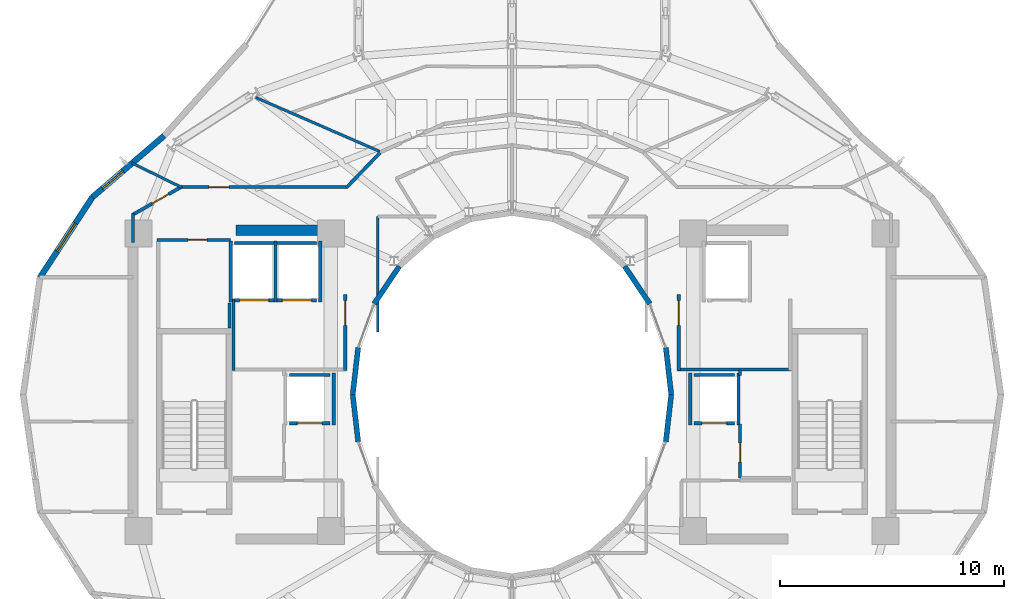
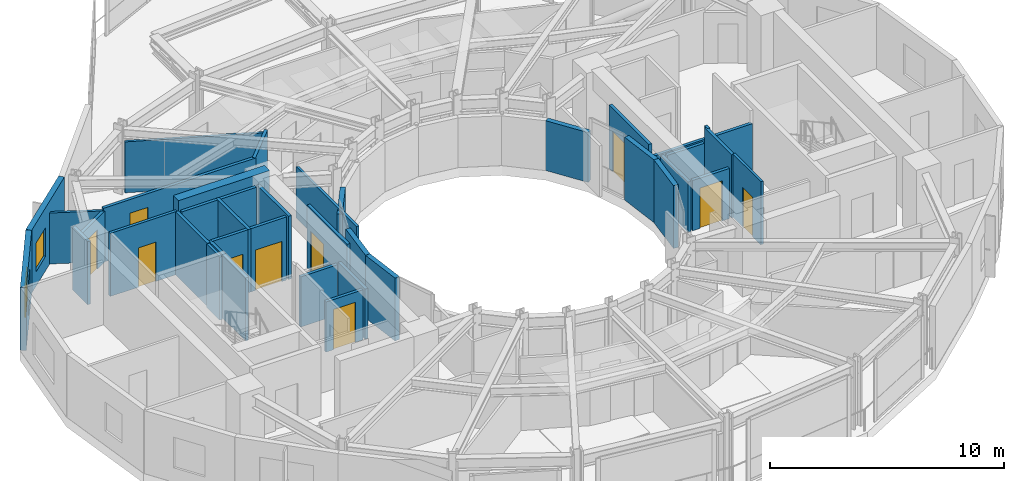
# One storey, part 19 of 25: 38 walls, 10 doors, 2 windows, 12 openings.
"""IFC4 building model written with IfcOpenShell, lengths in metres."""

from ifc_helpers import new_model, si_unit, direction, frame, frame_2d, origin, place, context, subcontext, project, spatial, rectangle, extrude, material, layer, layer_set, type_object, element, fill, save


model = new_model("IFC4")

# Units and contexts
model_context = context("Model", 3, precision=1e-05, world=origin(), true_north=direction((0.0, 1.0)))
body_context = subcontext(model_context, "Body", "Model", "MODEL_VIEW")
ifc_project = project(units=[si_unit("LENGTHUNIT", "METRE"), si_unit("AREAUNIT", "SQUARE_METRE"), si_unit("VOLUMEUNIT", "CUBIC_METRE"), si_unit("PLANEANGLEUNIT", "RADIAN"), si_unit("MASSUNIT", "GRAM", prefix="KILO")], contexts=[model_context])

# Site, building, storey
site_placement = place(None, origin())
site = spatial("IfcSite", under=ifc_project, at=site_placement, CompositionType="ELEMENT")
building_placement = place(site_placement, origin())
building = spatial("IfcBuilding", under=site, at=building_placement, Name="Solvane Sanctuary Tower", CompositionType="ELEMENT")
storey_placement = place(building_placement, frame((0.0, 0.0, 238.800048828125)))
storey = spatial("IfcBuildingStorey", under=building, at=storey_placement, Name="L73", CompositionType="ELEMENT", Elevation=238.800048828125)

# Walls
ifc_material_1 = material(Name="Concrete C50/60", Category="concrete")
ifc_layer_1 = layer(ifc_material_1, 0.449951171875, Name="Concrete C50/60")
ifc_layer_set_1 = layer_set([ifc_layer_1], Name="Concrete C50/60")
wall_type_1 = type_object("IfcWallType", Name="Wall W-CORE-450", PredefinedType="SHEAR", material=ifc_layer_set_1)
wall_1_placement = place(storey_placement, frame((19.64990234375, 30.35009765625, 0.0), z_axis=(0.0, 0.0, 1.0), x_axis=(1.0, 0.0, 0.0)))
element("IfcWall", 1, at=wall_1_placement, inside=storey, type_object=wall_type_1, Name="L73 Core Shear Wall WC-N", PredefinedType="SHEAR", context=body_context, shape_type="SweptSolid", body=[
    extrude(rectangle(XDim=4.5, YDim=0.449951171875, at=frame_2d((2.25, 0.0))), origin(), (0.0, 0.0, 1.0), 3.599853515625),
])
ifc_material_2 = material(Name="Acoustic Gypsum Partition Board")
ifc_layer_2 = layer(ifc_material_2, 0.14990234375, Name="Acoustic Gypsum Partition Board")
ifc_layer_set_2 = layer_set([ifc_layer_2], Name="Acoustic Gypsum Partition Board")
wall_type_2 = type_object("IfcWallType", Name="Wall W-CORR-150", PredefinedType="PARTITIONING", material=ifc_layer_set_2)
wall_2_placement = place(storey_placement, frame((19.550048828125, 24.080078125, 0.0), z_axis=(0.0, 0.0, 1.0), x_axis=(0.0, 1.0, 0.0)))
element("IfcWall", 2, at=wall_2_placement, inside=storey, type_object=wall_type_2, Name="L73 West Firefighting Lobby West Wall", PredefinedType="PARTITIONING", context=body_context, shape_type="SweptSolid", body=[
    extrude(rectangle(XDim=3.199951171875, YDim=0.14990234375, at=frame_2d((1.60009765625, 0.0))), origin(), (0.0, 0.0, 1.0), 3.294921875),
])

# Wall, opening, door
wall_3_placement = place(storey_placement, frame((24.550048828125, 24.080078125, 0.0), z_axis=(0.0, 0.0, 1.0), x_axis=(0.0, 1.0, 0.0)))
wall_3 = element("IfcWall", 3, at=wall_3_placement, inside=storey, type_object=wall_type_2, Name="L73 West Firefighting Lobby East Wall", PredefinedType="PARTITIONING", context=body_context, shape_type="SweptSolid", body=[
    extrude(rectangle(XDim=3.39990234375, YDim=0.14990234375, at=frame_2d((1.699951171875, 0.0))), origin(), (0.0, 0.0, 1.0), 3.294921875),
])
opening_1_placement = place(wall_3_placement, frame((2.02001953125, 0.0, 0.0)))
opening_1 = element("IfcOpeningElement", 4, at=opening_1_placement, cuts=wall_3, Name="Opening D-L73-03", PredefinedType="OPENING", context=body_context, shape_type="SweptSolid", body=[
    extrude(rectangle(XDim=1.10009765625, YDim=2.10009765625, at=frame_2d((0.550048828125, 1.050048828125))), frame((0.0, 0.0849609375, 0.0), z_axis=(0.0, -1.0, 0.0), x_axis=(1.0, 0.0, 0.0)), (0.0, 0.0, 1.0), 0.169921875),
])
ifc_material_3 = material(Name="Architectural Stainless Steel 316", Category="steel")
door_type_1 = type_object("IfcDoorType", Name="Door D-FFL", OperationType="NOTDEFINED", PredefinedType="DOOR", material=ifc_material_3)
door_1_placement = place(opening_1_placement, origin())
door_1 = element("IfcDoor", 5, at=door_1_placement, inside=storey, type_object=door_type_1, Name="L73 West Firefighting Lobby Fire Door", OperationType="SINGLE_SWING_LEFT", OverallHeight=2.10009765625, OverallWidth=1.10009765625, PredefinedType="DOOR", context=body_context, shape_type="SweptSolid", body=[
    extrude(rectangle(XDim=1.10009765625, YDim=2.10009765625, at=frame_2d((0.550048828125, 1.050048828125))), frame((0.0, 0.02490234375, 0.0), z_axis=(0.0, -1.0, 0.0), x_axis=(1.0, 0.0, 0.0)), (0.0, 0.0, 1.0), 0.050048828125),
])
fill(opening_1, door_1)

# Wall
wall_4_placement = place(storey_placement, frame((39.39990234375, 24.1201171875, 0.0), z_axis=(0.0, 0.0, 1.0), x_axis=(1.0, 0.0, 0.0)))
element("IfcWall", 6, at=wall_4_placement, inside=storey, type_object=wall_type_2, Name="L73 East Firefighting Lobby South Wall", PredefinedType="PARTITIONING", context=body_context, shape_type="SweptSolid", body=[
    extrude(rectangle(XDim=5.080078125, YDim=0.14990234375, at=frame_2d((2.5400390625, 0.0))), origin(), (0.0, 0.0, 1.0), 2.619873046875),
])

# Wall, opening, door
wall_5_placement = place(storey_placement, frame((39.449951171875, 24.080078125, 0.0), z_axis=(0.0, 0.0, 1.0), x_axis=(0.0, 1.0, 0.0)))
wall_5 = element("IfcWall", 7, at=wall_5_placement, inside=storey, type_object=wall_type_2, Name="L73 East Firefighting Lobby West Wall", PredefinedType="PARTITIONING", context=body_context, shape_type="SweptSolid", body=[
    extrude(rectangle(XDim=3.39990234375, YDim=0.14990234375, at=frame_2d((1.699951171875, 0.0))), origin(), (0.0, 0.0, 1.0), 3.294921875),
])
opening_2_placement = place(wall_5_placement, frame((2.02001953125, 0.0, 0.0)))
opening_2 = element("IfcOpeningElement", 8, at=opening_2_placement, cuts=wall_5, Name="Opening D-L73-04", PredefinedType="OPENING", context=body_context, shape_type="SweptSolid", body=[
    extrude(rectangle(XDim=1.10009765625, YDim=2.10009765625, at=frame_2d((0.550048828125, 1.050048828125))), frame((0.0, 0.0849609375, 0.0), z_axis=(0.0, -1.0, 0.0), x_axis=(1.0, 0.0, 0.0)), (0.0, 0.0, 1.0), 0.169921875),
])
door_2_placement = place(opening_2_placement, origin())
door_2 = element("IfcDoor", 9, at=door_2_placement, inside=storey, type_object=door_type_1, Name="L73 East Firefighting Lobby Fire Door", OperationType="SINGLE_SWING_RIGHT", OverallHeight=2.10009765625, OverallWidth=1.10009765625, PredefinedType="DOOR", context=body_context, shape_type="SweptSolid", body=[
    extrude(rectangle(XDim=1.10009765625, YDim=2.10009765625, at=frame_2d((0.550048828125, 1.050048828125))), frame((0.0, 0.02490234375, 0.0), z_axis=(0.0, -1.0, 0.0), x_axis=(1.0, 0.0, 0.0)), (0.0, 0.0, 1.0), 0.050048828125),
])
fill(opening_2, door_2)

# Walls
wall_6_placement = place(storey_placement, frame((15.050048828125, 29.800048828125, 0.0), z_axis=(0.0, 0.0, 1.0), x_axis=(0.0, 1.0, 0.0)))
element("IfcWall", 10, at=wall_6_placement, inside=storey, type_object=wall_type_2, Name="L73 NW Corner Closer 1", PredefinedType="PARTITIONING", context=body_context, shape_type="SweptSolid", body=[
    extrude(rectangle(XDim=1.2900390625, YDim=0.14990234375, at=frame_2d((0.64501953125, 0.0))), origin(), (0.0, 0.0, 1.0), 3.294921875),
])
wall_7_placement = place(storey_placement, frame((26.0966796875, 33.811767578125, 0.0), z_axis=(0.0, 0.0, 1.0), x_axis=(-0.694032962553, -0.719943224768, 0.0)))
element("IfcWall", 11, at=wall_7_placement, inside=storey, type_object=wall_type_2, Name="L73 NW Corner Throat Wall", PredefinedType="PARTITIONING", context=body_context, shape_type="SweptSolid", body=[
    extrude(rectangle(XDim=2.15771484375, YDim=0.14990234375, at=frame_2d((1.078857421875, 0.0))), origin(), (0.0, 0.0, 1.0), 2.81591796875),
])

# Wall, opening, door
wall_8_placement = place(storey_placement, frame((17.14990234375, 32.280029296875, 0.0), z_axis=(0.0, 0.0, 1.0), x_axis=(1.0, 0.0, 0.0)))
wall_8 = element("IfcWall", 12, at=wall_8_placement, inside=storey, type_object=wall_type_2, Name="L73 NW Corner Corridor Wall", PredefinedType="PARTITIONING", context=body_context, shape_type="SweptSolid", body=[
    extrude(rectangle(XDim=7.52001953125, YDim=0.14990234375, at=frame_2d((3.760009765625, 0.0))), origin(), (0.0, 0.0, 1.0), 2.81591796875),
])
opening_3_placement = place(wall_8_placement, frame((1.300048828125, 0.0, 0.0)))
opening_3 = element("IfcOpeningElement", 13, at=opening_3_placement, cuts=wall_8, Name="Opening D-L73-20", PredefinedType="OPENING", context=body_context, shape_type="SweptSolid", body=[
    extrude(rectangle(XDim=0.89990234375, YDim=2.10009765625, at=frame_2d((0.449951171875, 1.050048828125))), frame((0.0, 0.0849609375, 0.0), z_axis=(0.0, -1.0, 0.0), x_axis=(1.0, 0.0, 0.0)), (0.0, 0.0, 1.0), 0.169921875),
])
ifc_material_4 = material(Name="Engineered Tropical Hardwood", Category="wood")
door_type_2 = type_object("IfcDoorType", Name="Door D-WET-900", OperationType="NOTDEFINED", PredefinedType="DOOR", material=ifc_material_4)
door_3_placement = place(opening_3_placement, origin())
door_3 = element("IfcDoor", 14, at=door_3_placement, inside=storey, type_object=door_type_2, Name="L73 NW Corner Salon Door", OperationType="SINGLE_SWING_RIGHT", OverallHeight=2.10009765625, OverallWidth=0.89990234375, PredefinedType="DOOR", context=body_context, shape_type="SweptSolid", body=[
    extrude(rectangle(XDim=0.89990234375, YDim=2.10009765625, at=frame_2d((0.449951171875, 1.050048828125))), frame((0.0, 0.02490234375, 0.0), z_axis=(0.0, -1.0, 0.0), x_axis=(1.0, 0.0, 0.0)), (0.0, 0.0, 1.0), 0.050048828125),
])
fill(opening_3, door_3)

wall_9_placement = place(storey_placement, frame((17.243408203125, 32.3046875, 0.0), z_axis=(0.0, 0.0, 1.0), x_axis=(-0.867991349648, -0.496579315857, 0.0)))
wall_9 = element("IfcWall", 15, at=wall_9_placement, inside=storey, type_object=wall_type_2, Name="L73 NW Corner Wing Wall", PredefinedType="PARTITIONING", context=body_context, shape_type="SweptSolid", body=[
    extrude(rectangle(XDim=2.56689453125, YDim=0.14990234375, at=frame_2d((1.283447265625, 0.0))), origin(), (0.0, 0.0, 1.0), 2.659912109375),
])
opening_4_placement = place(wall_9_placement, frame((0.68798828125, 0.0, 0.0)))
opening_4 = element("IfcOpeningElement", 16, at=opening_4_placement, cuts=wall_9, Name="Opening D-L73-21", PredefinedType="OPENING", context=body_context, shape_type="SweptSolid", body=[
    extrude(rectangle(XDim=0.85009765625, YDim=2.050048828125, at=frame_2d((0.425048828125, 1.02490234375))), frame((0.0, 0.0849609375, 0.0), z_axis=(0.0, -1.0, 0.0), x_axis=(1.0, 0.0, 0.0)), (0.0, 0.0, 1.0), 0.169921875),
])
door_type_3 = type_object("IfcDoorType", Name="Door D-RISER", OperationType="NOTDEFINED", PredefinedType="DOOR", material=ifc_material_3)
door_4_placement = place(opening_4_placement, origin())
door_4 = element("IfcDoor", 17, at=door_4_placement, inside=storey, type_object=door_type_3, Name="L73 NW Corner Suite Door", OperationType="SINGLE_SWING_LEFT", OverallHeight=2.050048828125, OverallWidth=0.85009765625, PredefinedType="DOOR", context=body_context, shape_type="SweptSolid", body=[
    extrude(rectangle(XDim=0.85009765625, YDim=2.050048828125, at=frame_2d((0.425048828125, 1.02490234375))), frame((0.0, 0.02490234375, 0.0), z_axis=(0.0, -1.0, 0.0), x_axis=(1.0, 0.0, 0.0)), (0.0, 0.0, 1.0), 0.050048828125),
])
fill(opening_4, door_4)

# Wall, opening, window
ifc_material_5 = material(Name="Precast concrete C40/50", Category="concrete")
ifc_layer_3 = layer(ifc_material_5, 0.260009765625, Name="Precast concrete C40/50")
ifc_layer_set_3 = layer_set([ifc_layer_3], Name="Precast concrete C40/50")
wall_type_3 = type_object("IfcWallType", Name="Wall W-EXT-250", PredefinedType="STANDARD", material=ifc_layer_set_3)
wall_10_placement = place(storey_placement, frame((16.4423828125, 34.572265625, 0.0), z_axis=(0.0, 0.0, 1.0), x_axis=(-0.759587504333, -0.650405122413, 0.0)))
wall_10 = element("IfcWall", 18, at=wall_10_placement, inside=storey, type_object=wall_type_3, Name="L73 Ceramic-Printed Facade Wall 09", PredefinedType="STANDARD", context=body_context, shape_type="SweptSolid", body=[
    extrude(rectangle(XDim=4.21728515625, YDim=0.260009765625, at=frame_2d((2.108642578125, 0.0))), origin(), (0.0, 0.0, 1.0), 3.2900390625),
])
opening_5_placement = place(wall_10_placement, frame((2.423095703125, 0.0, 0.75)))
opening_5 = element("IfcOpeningElement", 19, at=opening_5_placement, cuts=wall_10, Name="Opening WN-OPER-1200", PredefinedType="OPENING", context=body_context, shape_type="SweptSolid", body=[
    extrude(rectangle(XDim=1.199951171875, YDim=1.5, at=frame_2d((0.60009765625, 0.75))), frame((0.0, 0.139892578125, 0.0), z_axis=(0.0, -1.0, 0.0), x_axis=(1.0, 0.0, 0.0)), (0.0, 0.0, 1.0), 0.280029296875),
])
ifc_material_6 = material(Name="Dark Ceramic-Fritted Low-E Glass", Category="glass")
window_type_1 = type_object("IfcWindowType", Name="Window WN-OPER-1200", PartitioningType="SINGLE_PANEL", PredefinedType="WINDOW", material=ifc_material_6)
window_1_placement = place(opening_5_placement, origin())
window_1 = element("IfcWindow", 20, at=window_1_placement, inside=storey, type_object=window_type_1, Name="L73 Operable Facade Window 09", OverallHeight=1.5, OverallWidth=1.199951171875, PartitioningType="SINGLE_PANEL", PredefinedType="WINDOW", context=body_context, shape_type="SweptSolid", body=[
    extrude(rectangle(XDim=1.199951171875, YDim=1.5, at=frame_2d((0.60009765625, 0.75))), frame((0.0, 0.030029296875, 0.0), z_axis=(0.0, -1.0, 0.0), x_axis=(1.0, 0.0, 0.0)), (0.0, 0.0, 1.0), 0.06005859375),
])
fill(opening_5, window_1)

wall_11_placement = place(storey_placement, frame((13.239013671875, 31.829345703125, 0.0), z_axis=(0.0, 0.0, 1.0), x_axis=(-0.546606419826, -0.837389647539, 0.0)))
wall_11 = element("IfcWall", 21, at=wall_11_placement, inside=storey, type_object=wall_type_3, Name="L73 Ceramic-Printed Facade Wall 10", PredefinedType="STANDARD", context=body_context, shape_type="SweptSolid", body=[
    extrude(rectangle(XDim=4.287841796875, YDim=0.260009765625, at=frame_2d((2.14404296875, 0.0))), origin(), (0.0, 0.0, 1.0), 3.2900390625),
])
opening_6_placement = place(wall_11_placement, frame((1.393798828125, 0.0, 0.75)))
opening_6 = element("IfcOpeningElement", 22, at=opening_6_placement, cuts=wall_11, Name="Opening WN-OPER-1500", PredefinedType="OPENING", context=body_context, shape_type="SweptSolid", body=[
    extrude(rectangle(XDim=1.5, YDim=1.60009765625, at=frame_2d((0.75, 0.800048828125))), frame((0.0, 0.139892578125, 0.0), z_axis=(0.0, -1.0, 0.0), x_axis=(1.0, 0.0, 0.0)), (0.0, 0.0, 1.0), 0.280029296875),
])
window_type_2 = type_object("IfcWindowType", Name="Window WN-OPER-1500", PartitioningType="SINGLE_PANEL", PredefinedType="WINDOW", material=ifc_material_6)
window_2_placement = place(opening_6_placement, origin())
window_2 = element("IfcWindow", 23, at=window_2_placement, inside=storey, type_object=window_type_2, Name="L73 Operable Facade Window 10", OverallHeight=1.60009765625, OverallWidth=1.5, PartitioningType="SINGLE_PANEL", PredefinedType="WINDOW", context=body_context, shape_type="SweptSolid", body=[
    extrude(rectangle(XDim=1.5, YDim=1.60009765625, at=frame_2d((0.75, 0.800048828125))), frame((0.0, 0.030029296875, 0.0), z_axis=(0.0, -1.0, 0.0), x_axis=(1.0, 0.0, 0.0)), (0.0, 0.0, 1.0), 0.06005859375),
])
fill(opening_6, window_2)

# Walls
ifc_layer_4 = layer(ifc_material_5, 0.22998046875, Name="Precast concrete C40/50")
ifc_layer_set_4 = layer_set([ifc_layer_4], Name="Precast concrete C40/50")
wall_type_4 = type_object("IfcWallType", Name="Wall W-EXT-SP220", PredefinedType="STANDARD", material=ifc_layer_set_4)
wall_12_placement = place(storey_placement, frame((39.1201171875, 23.0, 0.0), z_axis=(0.0, 0.0, 1.0), x_axis=(-0.114711713601, 0.993398823617, 0.0)))
element("IfcWall", 24, at=wall_12_placement, inside=storey, type_object=wall_type_4, Name="L73 Central Light-Well Wall 00", PredefinedType="STANDARD", context=body_context, shape_type="SweptSolid", body=[
    extrude(rectangle(XDim=2.115478515625, YDim=0.22998046875, at=frame_2d((1.0576171875, 0.0))), origin(), (0.0, 0.0, 1.0), 3.280029296875),
])
for number, where, z_axis, x_axis, name in (
    (25, (38.166015625, 27.06005859375, 0.0), (0.0, 0.0, 1.0), (-0.558197800898, 0.829707909492, 0.0), "L73 Central Light-Well Wall 02"),
    (26, (26.96533203125, 28.74169921875, 0.0), (0.0, 0.0, 1.0), (-0.558197800898, -0.829707909492, 0.0), "L73 Central Light-Well Wall 09"),
):
    element("IfcWall", number, at=place(storey_placement, frame(where, z_axis=z_axis, x_axis=x_axis)), inside=storey, type_object=wall_type_4, Name=name, PredefinedType="STANDARD", context=body_context, shape_type="SweptSolid", body=[
        extrude(rectangle(XDim=2.02685546875, YDim=0.22998046875, at=frame_2d((1.013427734375, 0.0))), origin(), (0.0, 0.0, 1.0), 2.599853515625),
    ])
for number, where, z_axis, x_axis, name in (
    (27, (25.12255859375, 25.1015625, 0.0), (0.0, 0.0, 1.0), (-0.114711713601, -0.993398823617, 0.0), "L73 Central Light-Well Wall 11"),
    (28, (24.8798828125, 23.0, 0.0), (0.0, 0.0, 1.0), (0.114711713601, -0.993398823617, 0.0), "L73 Central Light-Well Wall 12"),
    (29, (38.87744140625, 20.8984375, 0.0), (0.0, 0.0, 1.0), (0.114711713601, 0.993398823617, 0.0), "L73 Central Light-Well Wall 23"),
):
    element("IfcWall", number, at=place(storey_placement, frame(where, z_axis=z_axis, x_axis=x_axis)), inside=storey, type_object=wall_type_4, Name=name, PredefinedType="STANDARD", context=body_context, shape_type="SweptSolid", body=[
        extrude(rectangle(XDim=2.115478515625, YDim=0.22998046875, at=frame_2d((1.0576171875, 0.0))), origin(), (0.0, 0.0, 1.0), 3.280029296875),
    ])
ifc_layer_5 = layer(ifc_material_2, 0.1201171875, Name="Acoustic Gypsum Partition Board")
ifc_layer_set_5 = layer_set([ifc_layer_5], Name="Acoustic Gypsum Partition Board")
wall_type_5 = type_object("IfcWallType", Name="Wall W-MOV-100", PredefinedType="MOVABLE", material=ifc_layer_set_5)
wall_13_placement = place(storey_placement, frame((17.244873046875, 32.258056640625, 0.0), z_axis=(0.0, 0.0, 1.0), x_axis=(-0.898152129572, 0.439684832745, 0.0)))
element("IfcWall", 30, at=wall_13_placement, inside=storey, type_object=wall_type_5, Name="L73 NW Corner Suite Partition", PredefinedType="MOVABLE", context=body_context, shape_type="SweptSolid", body=[
    extrude(rectangle(XDim=2.5087890625, YDim=0.1201171875, at=frame_2d((1.25439453125, 0.0))), origin(), (0.0, 0.0, 1.0), 2.659912109375),
])
wall_14_placement = place(storey_placement, frame((26.084716796875, 33.873291015625, 0.0), z_axis=(0.0, 0.0, 1.0), x_axis=(-0.916946661839, 0.399009798554, 0.0)))
element("IfcWall", 31, at=wall_14_placement, inside=storey, type_object=wall_type_5, Name="L73 Sky Hall Radial Partition 120", PredefinedType="MOVABLE", context=body_context, shape_type="SweptSolid", body=[
    extrude(rectangle(XDim=6.04150390625, YDim=0.1201171875, at=frame_2d((3.020751953125, 0.0))), origin(), (0.0, 0.0, 1.0), 2.659912109375),
])

# Wall, opening, door
ifc_layer_6 = layer(ifc_material_2, 0.125, Name="Acoustic Gypsum Partition Board")
ifc_layer_set_6 = layer_set([ifc_layer_6], Name="Acoustic Gypsum Partition Board")
wall_type_6 = type_object("IfcWallType", Name="Wall W-PART-125", PredefinedType="PARTITIONING", material=ifc_layer_set_6)
wall_15_placement = place(storey_placement, frame((42.199951171875, 19.280029296875, 0.0), z_axis=(0.0, 0.0, 1.0), x_axis=(0.0, 1.0, 0.0)))
wall_15 = element("IfcWall", 32, at=wall_15_placement, inside=storey, type_object=wall_type_6, Name="L73 Reclaimed Room Partition PME", PredefinedType="PARTITIONING", context=body_context, shape_type="SweptSolid", body=[
    extrude(rectangle(XDim=2.39990234375, YDim=0.125, at=frame_2d((1.199951171875, 0.0))), origin(), (0.0, 0.0, 1.0), 3.294921875),
])
opening_7_placement = place(wall_15_placement, frame((0.699951171875, 0.0, 0.0)))
opening_7 = element("IfcOpeningElement", 33, at=opening_7_placement, cuts=wall_15, Name="Opening D-L73-08", PredefinedType="OPENING", context=body_context, shape_type="SweptSolid", body=[
    extrude(rectangle(XDim=0.85009765625, YDim=2.050048828125, at=frame_2d((0.425048828125, 1.02490234375))), frame((0.0, 0.072509765625, 0.0), z_axis=(0.0, -1.0, 0.0), x_axis=(1.0, 0.0, 0.0)), (0.0, 0.0, 1.0), 0.14501953125),
])
door_5_placement = place(opening_7_placement, origin())
door_5 = element("IfcDoor", 34, at=door_5_placement, inside=storey, type_object=door_type_3, Name="L73 Reclaimed Room Door PME-1", OperationType="SINGLE_SWING_RIGHT", OverallHeight=2.050048828125, OverallWidth=0.85009765625, PredefinedType="DOOR", context=body_context, shape_type="SweptSolid", body=[
    extrude(rectangle(XDim=0.85009765625, YDim=2.050048828125, at=frame_2d((0.425048828125, 1.02490234375))), frame((0.0, 0.02490234375, 0.0), z_axis=(0.0, -1.0, 0.0), x_axis=(1.0, 0.0, 0.0)), (0.0, 0.0, 1.0), 0.050048828125),
])
fill(opening_7, door_5)

# Walls
wall_16_placement = place(storey_placement, frame((42.199951171875, 23.85009765625, 0.0), z_axis=(0.0, 0.0, 1.0), x_axis=(0.0, 1.0, 0.0)))
element("IfcWall", 35, at=wall_16_placement, inside=storey, type_object=wall_type_6, Name="L73 Reclaimed Room Dividing Wall PME", PredefinedType="PARTITIONING", context=body_context, shape_type="SweptSolid", body=[
    extrude(rectangle(XDim=0.25, YDim=0.125, at=frame_2d((0.125, 0.0))), origin(), (0.0, 0.0, 1.0), 3.294921875),
])
wall_17_placement = place(storey_placement, frame((26.0, 25.800048828125, 0.0), z_axis=(0.0, 0.0, 1.0), x_axis=(0.0, 1.0, 0.0)))
element("IfcWall", 36, at=wall_17_placement, inside=storey, type_object=wall_type_6, Name="L73 Bridge Alcove Wall 1", PredefinedType="PARTITIONING", context=body_context, shape_type="SweptSolid", body=[
    extrude(rectangle(XDim=5.159912109375, YDim=0.125, at=frame_2d((2.580078125, 0.0))), origin(), (0.0, 0.0, 1.0), 2.671875),
])

# Wall, opening, door
ifc_layer_7 = layer(ifc_material_1, 0.14990234375, Name="Concrete C50/60")
ifc_layer_set_7 = layer_set([ifc_layer_7], Name="Concrete C50/60")
wall_type_7 = type_object("IfcWallType", Name="Wall W-SHAFT-150", PredefinedType="SOLIDWALL", material=ifc_layer_set_7)
wall_18_placement = place(storey_placement, frame((22.0400390625, 21.719970703125, 0.0), z_axis=(0.0, 0.0, 1.0), x_axis=(1.0, 0.0, 0.0)))
wall_18 = element("IfcWall", 37, at=wall_18_placement, inside=storey, type_object=wall_type_7, Name="L73 PH-1 Lift Shaft Wall F", PredefinedType="SOLIDWALL", context=body_context, shape_type="SweptSolid", body=[
    extrude(rectangle(XDim=1.820068359375, YDim=0.14990234375, at=frame_2d((0.91015625, 0.0))), origin(), (0.0, 0.0, 1.0), 2.619873046875),
])
opening_8_placement = place(wall_18_placement, frame((0.360107421875, 0.0, 0.0)))
opening_8 = element("IfcOpeningElement", 38, at=opening_8_placement, cuts=wall_18, Name="Opening LD-L73-01", PredefinedType="OPENING", context=body_context, shape_type="SweptSolid", body=[
    extrude(rectangle(XDim=1.10009765625, YDim=2.10009765625, at=frame_2d((0.550048828125, 1.050048828125))), frame((0.0, 0.0849609375, 0.0), z_axis=(0.0, -1.0, 0.0), x_axis=(1.0, 0.0, 0.0)), (0.0, 0.0, 1.0), 0.169921875),
])
door_type_4 = type_object("IfcDoorType", Name="Door LD-PASS-1100", OperationType="NOTDEFINED", PredefinedType="DOOR", material=ifc_material_3)
door_6_placement = place(opening_8_placement, origin())
door_6 = element("IfcDoor", 39, at=door_6_placement, inside=storey, type_object=door_type_4, Name="L73 PH-1 Lift Landing Door", OperationType="DOUBLE_DOOR_SLIDING", OverallHeight=2.10009765625, OverallWidth=1.10009765625, PredefinedType="DOOR", context=body_context, shape_type="SweptSolid", body=[
    extrude(rectangle(XDim=1.10009765625, YDim=2.10009765625, at=frame_2d((0.550048828125, 1.050048828125))), frame((0.0, 0.02490234375, 0.0), z_axis=(0.0, -1.0, 0.0), x_axis=(1.0, 0.0, 0.0)), (0.0, 0.0, 1.0), 0.050048828125),
])
fill(opening_8, door_6)

# Walls
wall_19_placement = place(storey_placement, frame((22.0400390625, 23.8798828125, 0.0), z_axis=(0.0, 0.0, 1.0), x_axis=(1.0, 0.0, 0.0)))
element("IfcWall", 40, at=wall_19_placement, inside=storey, type_object=wall_type_7, Name="L73 PH-1 Lift Shaft Wall B", PredefinedType="SOLIDWALL", context=body_context, shape_type="SweptSolid", body=[
    extrude(rectangle(XDim=1.820068359375, YDim=0.14990234375, at=frame_2d((0.91015625, 0.0))), origin(), (0.0, 0.0, 1.0), 2.619873046875),
])
wall_20_placement = place(storey_placement, frame((24.030029296875, 21.639892578125, 0.0), z_axis=(0.0, 0.0, 1.0), x_axis=(0.0, 1.0, 0.0)))
element("IfcWall", 41, at=wall_20_placement, inside=storey, type_object=wall_type_7, Name="L73 PH-1 Lift Shaft Wall S2", PredefinedType="SOLIDWALL", context=body_context, shape_type="SweptSolid", body=[
    extrude(rectangle(XDim=2.320068359375, YDim=0.14990234375, at=frame_2d((1.16015625, 0.0))), origin(), (0.0, 0.0, 1.0), 2.619873046875),
])

# Wall, opening, door
wall_21_placement = place(storey_placement, frame((40.139892578125, 21.719970703125, 0.0), z_axis=(0.0, 0.0, 1.0), x_axis=(1.0, 0.0, 0.0)))
wall_21 = element("IfcWall", 42, at=wall_21_placement, inside=storey, type_object=wall_type_7, Name="L73 PH-2 Lift Shaft Wall F", PredefinedType="SOLIDWALL", context=body_context, shape_type="SweptSolid", body=[
    extrude(rectangle(XDim=1.820068359375, YDim=0.14990234375, at=frame_2d((0.91015625, 0.0))), origin(), (0.0, 0.0, 1.0), 2.619873046875),
])
opening_9_placement = place(wall_21_placement, frame((0.360107421875, 0.0, 0.0)))
opening_9 = element("IfcOpeningElement", 43, at=opening_9_placement, cuts=wall_21, Name="Opening LD-L73-02", PredefinedType="OPENING", context=body_context, shape_type="SweptSolid", body=[
    extrude(rectangle(XDim=1.10009765625, YDim=2.10009765625, at=frame_2d((0.550048828125, 1.050048828125))), frame((0.0, 0.0849609375, 0.0), z_axis=(0.0, -1.0, 0.0), x_axis=(1.0, 0.0, 0.0)), (0.0, 0.0, 1.0), 0.169921875),
])
door_7_placement = place(opening_9_placement, origin())
door_7 = element("IfcDoor", 44, at=door_7_placement, inside=storey, type_object=door_type_4, Name="L73 PH-2 Lift Landing Door", OperationType="DOUBLE_DOOR_SLIDING", OverallHeight=2.10009765625, OverallWidth=1.10009765625, PredefinedType="DOOR", context=body_context, shape_type="SweptSolid", body=[
    extrude(rectangle(XDim=1.10009765625, YDim=2.10009765625, at=frame_2d((0.550048828125, 1.050048828125))), frame((0.0, 0.02490234375, 0.0), z_axis=(0.0, -1.0, 0.0), x_axis=(1.0, 0.0, 0.0)), (0.0, 0.0, 1.0), 0.050048828125),
])
fill(opening_9, door_7)

# Walls
wall_22_placement = place(storey_placement, frame((40.139892578125, 23.8798828125, 0.0), z_axis=(0.0, 0.0, 1.0), x_axis=(1.0, 0.0, 0.0)))
element("IfcWall", 45, at=wall_22_placement, inside=storey, type_object=wall_type_7, Name="L73 PH-2 Lift Shaft Wall B", PredefinedType="SOLIDWALL", context=body_context, shape_type="SweptSolid", body=[
    extrude(rectangle(XDim=1.820068359375, YDim=0.14990234375, at=frame_2d((0.91015625, 0.0))), origin(), (0.0, 0.0, 1.0), 2.619873046875),
])
wall_23_placement = place(storey_placement, frame((39.969970703125, 21.639892578125, 0.0), z_axis=(0.0, 0.0, 1.0), x_axis=(0.0, 1.0, 0.0)))
element("IfcWall", 46, at=wall_23_placement, inside=storey, type_object=wall_type_7, Name="L73 PH-2 Lift Shaft Wall S1", PredefinedType="SOLIDWALL", context=body_context, shape_type="SweptSolid", body=[
    extrude(rectangle(XDim=2.320068359375, YDim=0.14990234375, at=frame_2d((1.16015625, 0.0))), origin(), (0.0, 0.0, 1.0), 2.619873046875),
])
wall_24_placement = place(storey_placement, frame((42.1298828125, 21.639892578125, 0.0), z_axis=(0.0, 0.0, 1.0), x_axis=(0.0, 1.0, 0.0)))
element("IfcWall", 47, at=wall_24_placement, inside=storey, type_object=wall_type_7, Name="L73 PH-2 Lift Shaft Wall S2", PredefinedType="SOLIDWALL", context=body_context, shape_type="SweptSolid", body=[
    extrude(rectangle(XDim=2.320068359375, YDim=0.14990234375, at=frame_2d((1.16015625, 0.0))), origin(), (0.0, 0.0, 1.0), 3.294921875),
])

# Wall, opening, door
wall_25_placement = place(storey_placement, frame((19.590087890625, 27.219970703125, 0.0), z_axis=(0.0, 0.0, 1.0), x_axis=(1.0, 0.0, 0.0)))
wall_25 = element("IfcWall", 48, at=wall_25_placement, inside=storey, type_object=wall_type_7, Name="L73 FFL-1 Lift Shaft Wall F", PredefinedType="SOLIDWALL", context=body_context, shape_type="SweptSolid", body=[
    extrude(rectangle(XDim=1.760009765625, YDim=0.14990234375, at=frame_2d((0.8798828125, 0.0))), origin(), (0.0, 0.0, 1.0), 3.294921875),
])
opening_10_placement = place(wall_25_placement, frame((0.22998046875, 0.0, 0.0)))
opening_10 = element("IfcOpeningElement", 49, at=opening_10_placement, cuts=wall_25, Name="Opening LD-L73-03", PredefinedType="OPENING", context=body_context, shape_type="SweptSolid", body=[
    extrude(rectangle(XDim=1.300048828125, YDim=2.10009765625, at=frame_2d((0.64990234375, 1.050048828125))), frame((0.0, 0.0849609375, 0.0), z_axis=(0.0, -1.0, 0.0), x_axis=(1.0, 0.0, 0.0)), (0.0, 0.0, 1.0), 0.169921875),
])
door_type_5 = type_object("IfcDoorType", Name="Door LD-FFL-1300", OperationType="NOTDEFINED", PredefinedType="DOOR", material=ifc_material_3)
door_8_placement = place(opening_10_placement, origin())
door_8 = element("IfcDoor", 50, at=door_8_placement, inside=storey, type_object=door_type_5, Name="L73 FFL-1 Lift Landing Door", OperationType="DOUBLE_DOOR_SLIDING", OverallHeight=2.10009765625, OverallWidth=1.300048828125, PredefinedType="DOOR", context=body_context, shape_type="SweptSolid", body=[
    extrude(rectangle(XDim=1.300048828125, YDim=2.10009765625, at=frame_2d((0.64990234375, 1.050048828125))), frame((0.0, 0.02490234375, 0.0), z_axis=(0.0, -1.0, 0.0), x_axis=(1.0, 0.0, 0.0)), (0.0, 0.0, 1.0), 0.050048828125),
])
fill(opening_10, door_8)

# Walls
wall_26_placement = place(storey_placement, frame((19.590087890625, 29.780029296875, 0.0), z_axis=(0.0, 0.0, 1.0), x_axis=(1.0, 0.0, 0.0)))
element("IfcWall", 51, at=wall_26_placement, inside=storey, type_object=wall_type_7, Name="L73 FFL-1 Lift Shaft Wall B", PredefinedType="SOLIDWALL", context=body_context, shape_type="SweptSolid", body=[
    extrude(rectangle(XDim=1.760009765625, YDim=0.14990234375, at=frame_2d((0.8798828125, 0.0))), origin(), (0.0, 0.0, 1.0), 3.294921875),
])
for number, where, z_axis, x_axis, name in (
    (52, (19.419921875, 27.139892578125, 0.0), (0.0, 0.0, 1.0), (0.0, 1.0, 0.0), "L73 FFL-1 Lift Shaft Wall S1"),
    (53, (21.425048828125, 27.139892578125, 0.0), (0.0, 0.0, 1.0), (0.0, 1.0, 0.0), "L73 FFL-1 Lift Shaft Wall S2"),
):
    element("IfcWall", number, at=place(storey_placement, frame(where, z_axis=z_axis, x_axis=x_axis)), inside=storey, type_object=wall_type_7, Name=name, PredefinedType="SOLIDWALL", context=body_context, shape_type="SweptSolid", body=[
        extrude(rectangle(XDim=2.72021484375, YDim=0.14990234375, at=frame_2d((1.360107421875, 0.0))), origin(), (0.0, 0.0, 1.0), 3.294921875),
    ])

# Wall, opening, door
wall_27_placement = place(storey_placement, frame((21.5, 27.219970703125, 0.0), z_axis=(0.0, 0.0, 1.0), x_axis=(1.0, 0.0, 0.0)))
wall_27 = element("IfcWall", 54, at=wall_27_placement, inside=storey, type_object=wall_type_7, Name="L73 SVL-1 Lift Shaft Wall F", PredefinedType="SOLIDWALL", context=body_context, shape_type="SweptSolid", body=[
    extrude(rectangle(XDim=1.760009765625, YDim=0.14990234375, at=frame_2d((0.8798828125, 0.0))), origin(), (0.0, 0.0, 1.0), 3.294921875),
])
opening_11_placement = place(wall_27_placement, frame((0.22998046875, 0.0, 0.0)))
opening_11 = element("IfcOpeningElement", 55, at=opening_11_placement, cuts=wall_27, Name="Opening LD-L73-04", PredefinedType="OPENING", context=body_context, shape_type="SweptSolid", body=[
    extrude(rectangle(XDim=1.300048828125, YDim=2.10009765625, at=frame_2d((0.64990234375, 1.050048828125))), frame((0.0, 0.0849609375, 0.0), z_axis=(0.0, -1.0, 0.0), x_axis=(1.0, 0.0, 0.0)), (0.0, 0.0, 1.0), 0.169921875),
])
door_9_placement = place(opening_11_placement, origin())
door_9 = element("IfcDoor", 56, at=door_9_placement, inside=storey, type_object=door_type_5, Name="L73 SVL-1 Lift Landing Door", OperationType="DOUBLE_DOOR_SLIDING", OverallHeight=2.10009765625, OverallWidth=1.300048828125, PredefinedType="DOOR", context=body_context, shape_type="SweptSolid", body=[
    extrude(rectangle(XDim=1.300048828125, YDim=2.10009765625, at=frame_2d((0.64990234375, 1.050048828125))), frame((0.0, 0.02490234375, 0.0), z_axis=(0.0, -1.0, 0.0), x_axis=(1.0, 0.0, 0.0)), (0.0, 0.0, 1.0), 0.050048828125),
])
fill(opening_11, door_9)

# Walls
wall_28_placement = place(storey_placement, frame((21.5, 29.780029296875, 0.0), z_axis=(0.0, 0.0, 1.0), x_axis=(1.0, 0.0, 0.0)))
element("IfcWall", 57, at=wall_28_placement, inside=storey, type_object=wall_type_7, Name="L73 SVL-1 Lift Shaft Wall B", PredefinedType="SOLIDWALL", context=body_context, shape_type="SweptSolid", body=[
    extrude(rectangle(XDim=1.760009765625, YDim=0.14990234375, at=frame_2d((0.8798828125, 0.0))), origin(), (0.0, 0.0, 1.0), 3.294921875),
])
wall_29_placement = place(storey_placement, frame((23.429931640625, 27.139892578125, 0.0), z_axis=(0.0, 0.0, 1.0), x_axis=(0.0, 1.0, 0.0)))
element("IfcWall", 58, at=wall_29_placement, inside=storey, type_object=wall_type_7, Name="L73 SVL-1 Lift Shaft Wall S2", PredefinedType="SOLIDWALL", context=body_context, shape_type="SweptSolid", body=[
    extrude(rectangle(XDim=2.72021484375, YDim=0.14990234375, at=frame_2d((1.360107421875, 0.0))), origin(), (0.0, 0.0, 1.0), 3.294921875),
])

# Wall, opening, door
ifc_layer_8 = layer(ifc_material_2, 0.139892578125, Name="Acoustic Gypsum Partition Board")
ifc_layer_set_8 = layer_set([ifc_layer_8], Name="Acoustic Gypsum Partition Board")
wall_type_8 = type_object("IfcWallType", Name="Wall W-WET-140", PredefinedType="PLUMBINGWALL", material=ifc_layer_set_8)
wall_30_placement = place(storey_placement, frame((16.1201171875, 29.919921875, 0.0), z_axis=(0.0, 0.0, 1.0), x_axis=(1.0, 0.0, 0.0)))
wall_30 = element("IfcWall", 59, at=wall_30_placement, inside=storey, type_object=wall_type_8, Name="L73 Core Service Front Wall KW0", PredefinedType="PLUMBINGWALL", context=body_context, shape_type="SweptSolid", body=[
    extrude(rectangle(XDim=3.2998046875, YDim=0.139892578125, at=frame_2d((1.64990234375, 0.0))), origin(), (0.0, 0.0, 1.0), 3.294921875),
])
opening_12_placement = place(wall_30_placement, frame((1.3994140625, 0.0, 0.0)))
opening_12 = element("IfcOpeningElement", 60, at=opening_12_placement, cuts=wall_30, Name="Opening D-L73-09", PredefinedType="OPENING", context=body_context, shape_type="SweptSolid", body=[
    extrude(rectangle(XDim=0.85009765625, YDim=2.050048828125, at=frame_2d((0.425048828125, 1.02490234375))), frame((0.0, 0.079833984375, 0.0), z_axis=(0.0, -1.0, 0.0), x_axis=(1.0, 0.0, 0.0)), (0.0, 0.0, 1.0), 0.159912109375),
])
door_10_placement = place(opening_12_placement, origin())
door_10 = element("IfcDoor", 61, at=door_10_placement, inside=storey, type_object=door_type_3, Name="L73 Core Service Room Door KW0-1", OperationType="SINGLE_SWING_LEFT", OverallHeight=2.050048828125, OverallWidth=0.85009765625, PredefinedType="DOOR", context=body_context, shape_type="SweptSolid", body=[
    extrude(rectangle(XDim=0.85009765625, YDim=2.050048828125, at=frame_2d((0.425048828125, 1.02490234375))), frame((0.0, 0.02490234375, 0.0), z_axis=(0.0, -1.0, 0.0), x_axis=(1.0, 0.0, 0.0)), (0.0, 0.0, 1.0), 0.050048828125),
])
fill(opening_12, door_10)

# Wall
wall_31_placement = place(storey_placement, frame((19.360107421875, 25.97998046875, 0.0), z_axis=(0.0, 0.0, 1.0), x_axis=(0.0, 1.0, 0.0)))
element("IfcWall", 62, at=wall_31_placement, inside=storey, type_object=wall_type_8, Name="L73 Core Service Side Wall KW0-2", PredefinedType="PLUMBINGWALL", context=body_context, shape_type="SweptSolid", body=[
    extrude(rectangle(XDim=1.1201171875, YDim=0.139892578125, at=frame_2d((0.56005859375, 0.0))), origin(), (0.0, 0.0, 1.0), 3.294921875),
])

save(model, "model.ifc")
